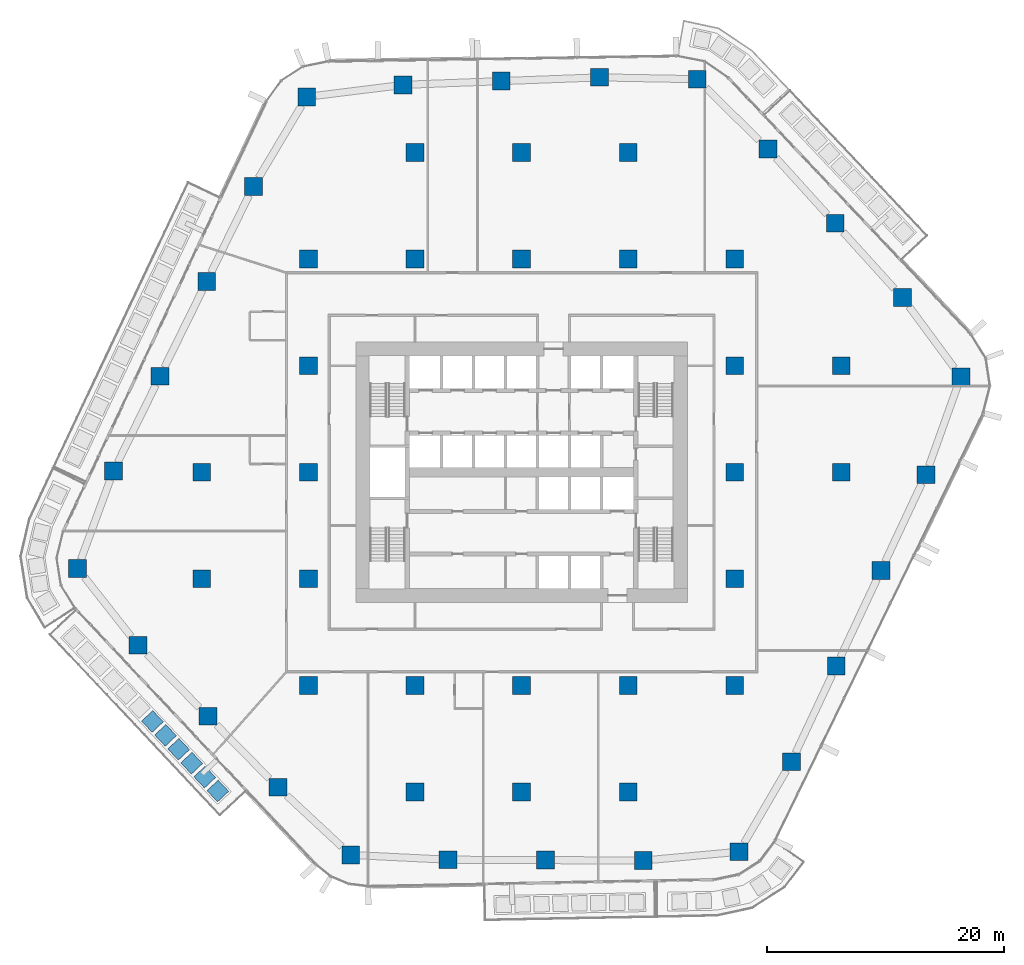
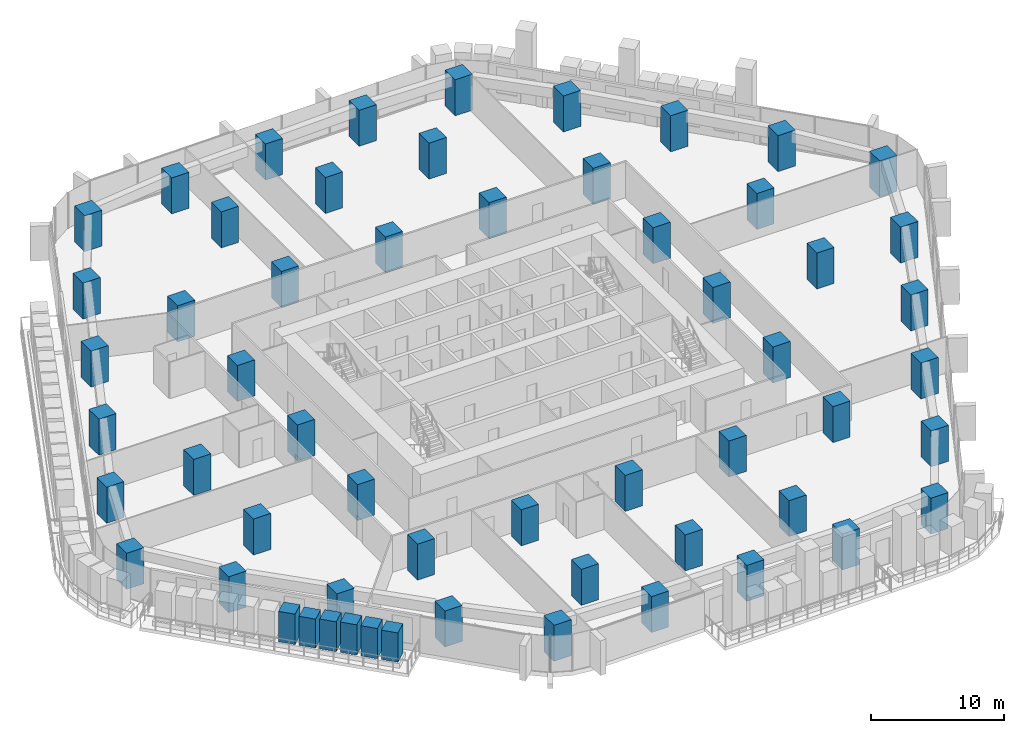
# One storey, part 1 of 25: 52 columns, 6 members.
"""IFC4 building model written with IfcOpenShell, lengths in metres."""

import ifcopenshell
import ifcopenshell.guid

model = None  # the IFC model being written
_history = None  # IfcOwnerHistory: only IFC2X3 demands one
_inside = {}  # id of a spatial element -> (the spatial element, [elements in it])
_under = {}  # id of a project, library or spatial element -> (it, [spatial elements below it])
_declared = {}  # id of a project -> (the project, [libraries it declares])
_typed = {}  # id of a type object -> (the type object, [elements of that type])
_made_of = {}  # id of a material, layer set ... -> (it, [elements and type objects made of it])


def new_model(schema):
    """Start an empty IFC model of exactly this schema.

    Asked for "IFC4X3", IfcOpenShell would pick the latest addendum, in which some entities
    have other attributes; the version numbers below select the first issue.
    IFC2X3 requires an IfcOwnerHistory on every rooted entity: one is made here for all.
    """
    global model, _history
    if schema == "IFC4X3":
        model = ifcopenshell.file(schema_version=(4, 3, 0, 0))
    else:
        model = ifcopenshell.file(schema=schema)
    _inside.clear()
    _under.clear()
    _declared.clear()
    _typed.clear()
    _made_of.clear()
    _history = None
    if model.schema == "IFC2X3":
        org = make("IfcOrganization", Name="unknown")
        user = make(
            "IfcPersonAndOrganization",
            ThePerson=make("IfcPerson", FamilyName="unknown"),
            TheOrganization=org,
        )
        app = make(
            "IfcApplication",
            ApplicationDeveloper=org,
            Version="unknown",
            ApplicationFullName="unknown",
            ApplicationIdentifier="unknown",
        )
        _history = make(
            "IfcOwnerHistory",
            OwningUser=user,
            OwningApplication=app,
            ChangeAction="ADDED",
            CreationDate=0,
        )
    return model


def make(cls, **values):
    """One entity of the class cls with the attributes given. An attribute that is None is left unset."""
    return model.create_entity(
        cls, **{name: value for name, value in values.items() if value is not None}
    )


def rooted(cls, **values):
    """An entity with a GlobalId (a new one), such as an element, a storey or a relation."""
    return make(cls, GlobalId=ifcopenshell.guid.new(), OwnerHistory=_history, **values)


def si_unit(unit_type, name, prefix=None):
    """IfcSIUnit, for example si_unit("LENGTHUNIT", "METRE", prefix="MILLI")."""
    return make("IfcSIUnit", UnitType=unit_type, Prefix=prefix, Name=name)


def assignment(units):
    """IfcUnitAssignment: the units of a project."""
    return None if units is None else make("IfcUnitAssignment", Units=units)


def point(xyz):
    """IfcCartesianPoint."""
    return None if xyz is None else make("IfcCartesianPoint", Coordinates=xyz)


def direction(xyz):
    """IfcDirection."""
    return None if xyz is None else make("IfcDirection", DirectionRatios=xyz)


def frame(location, z_axis=None, x_axis=None):
    """IfcAxis2Placement3D, a coordinate frame: its origin and axes. An axis left out is left unset."""
    return make(
        "IfcAxis2Placement3D",
        Location=point(location),
        Axis=direction(z_axis),
        RefDirection=direction(x_axis),
    )


def frame_2d(location, x_axis=None):
    """IfcAxis2Placement2D, a coordinate frame in the plane: its origin and x axis."""
    return make(
        "IfcAxis2Placement2D", Location=point(location), RefDirection=direction(x_axis)
    )


def origin():
    """The frame at (0, 0, 0) with its axes left unset."""
    return frame((0.0, 0.0, 0.0))


def origin_2d():
    """The frame at (0, 0) in the plane with its x axis left unset."""
    return frame_2d((0.0, 0.0))


def place(relative_to, where):
    """IfcLocalPlacement: puts the frame where relative to a parent placement (None: the world)."""
    return make(
        "IfcLocalPlacement", PlacementRelTo=relative_to, RelativePlacement=where
    )


def context(
    kind, dimensions, precision=None, world=None, true_north=None, identifier=None
):
    """IfcGeometricRepresentationContext, for example the 3D "Model" context."""
    return make(
        "IfcGeometricRepresentationContext",
        ContextIdentifier=identifier,
        ContextType=kind,
        CoordinateSpaceDimension=dimensions,
        Precision=precision,
        WorldCoordinateSystem=world,
        TrueNorth=true_north,
    )


def subcontext(parent, identifier, kind, view, scale=None):
    """IfcGeometricRepresentationSubContext, for example "Body" below "Model"."""
    return make(
        "IfcGeometricRepresentationSubContext",
        ContextIdentifier=identifier,
        ContextType=kind,
        ParentContext=parent,
        TargetScale=scale,
        TargetView=view,
    )


def project(units=None, contexts=None):
    """IfcProject with its units and contexts."""
    return rooted(
        "IfcProject",
        Name="project",
        RepresentationContexts=contexts,
        UnitsInContext=assignment(units),
    )


def spatial(cls, under=None, at=None, **own):
    """A site, building, storey or space (cls), placed at a placement, below another one or the project."""
    s = rooted(cls, ObjectPlacement=at, **own)
    if under is not None:
        _under.setdefault(under.id(), (under, []))[1].append(s)
    return s


def profile(cls, at=None, kind="AREA", **sizes):
    """A parametric profile (cls). Its sizes go by their IFC names, for example OverallWidth=200.0."""
    return make(cls, ProfileType=kind, Position=at, **sizes)


def rectangle(**sizes):
    """IfcRectangleProfileDef."""
    return profile("IfcRectangleProfileDef", **sizes)


def extrude(swept, where, along, depth):
    """IfcExtrudedAreaSolid: the profile swept, set in the frame where, extruded along a direction by depth."""
    return make(
        "IfcExtrudedAreaSolid",
        SweptArea=swept,
        Position=where,
        ExtrudedDirection=direction(along),
        Depth=depth,
    )


def shape(context_of_items, identifier, shape_type, items):
    """IfcShapeRepresentation: the items that make up one representation, for example the "Body"."""
    return make(
        "IfcShapeRepresentation",
        ContextOfItems=context_of_items,
        RepresentationIdentifier=identifier,
        RepresentationType=shape_type,
        Items=items,
    )


def material(Name=None, Category=None):
    """IfcMaterial."""
    return make("IfcMaterial", Name=Name, Category=Category)


def material_profile(
    of_material, cross_section, Name=None, Category=None, Priority=None
):
    """IfcMaterialProfile: a cross section and its material."""
    return make(
        "IfcMaterialProfile",
        Name=Name,
        Material=of_material,
        Profile=cross_section,
        Priority=Priority,
        Category=Category,
    )


def profile_set(profiles, Name=None, composite=None):
    """IfcMaterialProfileSet."""
    return make(
        "IfcMaterialProfileSet",
        Name=Name,
        MaterialProfiles=profiles,
        CompositeProfile=composite,
    )


def made_of(thing, what):
    """Note that an element or type object is made of a material, layer set ...; save() writes the relation."""
    if what is not None:
        _made_of.setdefault(what.id(), (what, []))[1].append(thing)
    return thing


def type_object(cls, material=None, **own):
    """A type object (cls), such as IfcWallType, which elements share."""
    return made_of(rooted(cls, **own), material)


def element(
    cls,
    number,
    at=None,
    inside=None,
    cuts=None,
    type_object=None,
    material=None,
    context=None,
    identifier="Body",
    shape_type=None,
    held_by="IfcProductDefinitionShape",
    body=None,
    shapes=None,
    **own,
):
    """One element of the class cls, such as IfcWall. Its Tag is "e" and its number.

    at: its placement. inside: the storey or other place that contains it. cuts: it is an
    opening in that element (IfcRelVoidsElement). A single representation is given by context,
    identifier, shape_type and body (its items); several are given by shapes. held_by: the class
    of the entity that holds the representations. save() writes the other relations.
    """
    e = rooted(cls, Tag="e%d" % number, ObjectPlacement=at, **own)
    if body is not None:
        shapes = [shape(context, identifier, shape_type, body)]
    if shapes is not None:
        e.Representation = make(held_by, Representations=shapes)
    if inside is not None:
        _inside.setdefault(inside.id(), (inside, []))[1].append(e)
    if cuts is not None:
        rooted(
            "IfcRelVoidsElement", RelatingBuildingElement=cuts, RelatedOpeningElement=e
        )
    if type_object is not None:
        _typed.setdefault(type_object.id(), (type_object, []))[1].append(e)
    return made_of(e, material)


def aggregate(whole, parts):
    """IfcRelAggregates: a whole, such as a stair, and the parts it consists of."""
    return rooted("IfcRelAggregates", RelatingObject=whole, RelatedObjects=parts)


def save(model, path):
    """Write the relations noted so far, then the file.

    IfcRelAggregates (storeys below a building ...), IfcRelContainedInSpatialStructure (elements
    in a storey), IfcRelDefinesByType, IfcRelAssociatesMaterial and IfcRelDeclares: one each for
    every whole, place, type object, material and project.
    """
    for whole, parts in _under.values():
        aggregate(whole, parts)
    for where, things in _inside.values():
        rooted(
            "IfcRelContainedInSpatialStructure",
            RelatedElements=things,
            RelatingStructure=where,
        )
    for kind, things in _typed.values():
        rooted("IfcRelDefinesByType", RelatedObjects=things, RelatingType=kind)
    for what, things in _made_of.values():
        rooted("IfcRelAssociatesMaterial", RelatedObjects=things, RelatingMaterial=what)
    for by, libraries in _declared.values():
        rooted("IfcRelDeclares", RelatingContext=by, RelatedDefinitions=libraries)
    model.write(path)


model = new_model("IFC4")

# Units and contexts
model_context = context("Model", 3, precision=1e-05, world=origin(), true_north=direction((0.0, 1.0)))
body_context = subcontext(model_context, "Body", "Model", "MODEL_VIEW")
ifc_project = project(units=[si_unit("LENGTHUNIT", "METRE"), si_unit("AREAUNIT", "SQUARE_METRE"), si_unit("VOLUMEUNIT", "CUBIC_METRE"), si_unit("PLANEANGLEUNIT", "RADIAN"), si_unit("MASSUNIT", "GRAM", prefix="KILO")], contexts=[model_context])

# Site, building, storey
site_placement = place(None, origin())
site = spatial("IfcSite", under=ifc_project, at=site_placement, CompositionType="ELEMENT")
building_placement = place(site_placement, origin())
building = spatial("IfcBuilding", under=site, at=building_placement, Name="Dongbaek Canopy Tower", CompositionType="ELEMENT")
storey_placement = place(building_placement, frame((0.0, 0.0, 81.0)))
storey = spatial("IfcBuildingStorey", under=building, at=storey_placement, Name="L16", CompositionType="ELEMENT", Elevation=81.0)

# Columns
ifc_material_1 = material(Name="Concrete C80", Category="concrete")
ifc_material_profile_1 = material_profile(ifc_material_1, rectangle(XDim=1.5, YDim=1.5, at=origin_2d()), Name="RC COLUMN 1500x1500 C80")
ifc_profile_set_1 = profile_set([ifc_material_profile_1], Name="Concrete C80")
column_type = type_object("IfcColumnType", Name="RC COLUMN 1500x1500 C80", PredefinedType="COLUMN", material=ifc_profile_set_1)
for number, where, z_axis, x_axis, name in (
    (1, (18.367919921875, -32.04296875, 0.0), (0.0, 0.0, 1.0), (1.0, 0.0, 0.0), "COL:CZ1-01:L16"),
    (2, (10.277099609375, -32.7900390625, 0.0), (0.0, 0.0, 1.0), (1.0, 0.0, 0.0), "COL:CZ1-02:L16"),
    (3, (2.027099609375, -32.7529296875, 0.0), (0.0, 0.0, 1.0), (1.0, 0.0, 0.0), "COL:CZ1-03:L16"),
    (4, (-6.221923828125, -32.717041015625, 0.0), (0.0, 0.0, 1.0), (1.0, 0.0, 0.0), "COL:CZ1-04:L16"),
    (5, (-14.43408203125, -32.31298828125, 0.0), (0.0, 0.0, 1.0), (1.0, 0.0, 0.0), "COL:CZ1-05:L16"),
    (6, (-20.573974609375, -26.60205078125, 0.0), (0.0, 0.0, 1.0), (1.0, 0.0, 0.0), "COL:CZ1-06:L16"),
    (7, (-26.47802734375, -20.60791015625, 0.0), (0.0, 0.0, 1.0), (1.0, 0.0, 0.0), "COL:CZ1-07:L16"),
    (8, (-32.382080078125, -14.613037109375, 0.0), (0.0, 0.0, 1.0), (1.0, 0.0, 0.0), "COL:CZ1-08:L16"),
    (9, (-37.489013671875, -8.123046875, 0.0), (0.0, 0.0, 1.0), (1.0, 0.0, 0.0), "COL:CZ1-09:L16"),
    (10, (-34.462890625, 0.10302734375, 0.0), (0.0, 0.0, 1.0), (1.0, 0.0, 0.0), "COL:CZ1-10:L16"),
    (11, (-30.52490234375, 8.111083984375, 0.0), (0.0, 0.0, 1.0), (1.0, 0.0, 0.0), "COL:CZ1-11:L16"),
    (12, (-26.5859375, 16.117919921875, 0.0), (0.0, 0.0, 1.0), (1.0, 0.0, 0.0), "COL:CZ1-12:L16"),
    (13, (-22.64794921875, 24.125, 0.0), (0.0, 0.0, 1.0), (1.0, 0.0, 0.0), "COL:CZ1-13:L16"),
    (14, (-18.138916015625, 31.698974609375, 0.0), (0.0, 0.0, 1.0), (1.0, 0.0, 0.0), "COL:CZ1-14:L16"),
    (15, (-10.006103515625, 32.714111328125, 0.0), (0.0, 0.0, 1.0), (1.0, 0.0, 0.0), "COL:CZ1-15:L16"),
    (16, (-1.7080078125, 33.031982421875, 0.0), (0.0, 0.0, 1.0), (1.0, 0.0, 0.0), "COL:CZ1-16:L16"),
    (17, (6.589111328125, 33.34912109375, 0.0), (0.0, 0.0, 1.0), (1.0, 0.0, 0.0), "COL:CZ1-17:L16"),
    (18, (14.830078125, 33.194091796875, 0.0), (0.0, 0.0, 1.0), (1.0, 0.0, 0.0), "COL:CZ1-18:L16"),
    (19, (20.804931640625, 27.297119140625, 0.0), (0.0, 0.0, 1.0), (1.0, 0.0, 0.0), "COL:CZ1-19:L16"),
    (20, (26.48193359375, 21.029052734375, 0.0), (0.0, 0.0, 1.0), (1.0, 0.0, 0.0), "COL:CZ1-20:L16"),
    (21, (32.157958984375, 14.760986328125, 0.0), (0.0, 0.0, 1.0), (1.0, 0.0, 0.0), "COL:CZ1-21:L16"),
    (22, (37.097900390625, 8.06591796875, 0.0), (0.0, 0.0, 1.0), (1.0, 0.0, 0.0), "COL:CZ1-22:L16"),
    (23, (34.14306640625, -0.205078125, 0.0), (0.0, 0.0, 1.0), (1.0, 0.0, 0.0), "COL:CZ1-23:L16"),
    (24, (30.360107421875, -8.283935546875, 0.0), (0.0, 0.0, 1.0), (1.0, 0.0, 0.0), "COL:CZ1-24:L16"),
    (25, (26.575927734375, -16.364013671875, 0.0), (0.0, 0.0, 1.0), (1.0, 0.0, 0.0), "COL:CZ1-25:L16"),
    (26, (22.7919921875, -24.443115234375, 0.0), (0.0, 0.0, 1.0), (1.0, 0.0, 0.0), "COL:CZ1-26:L16"),
    (27, (-27.0, -9.0, 0.0), (0.0, 0.0, 1.0), (1.0, 0.0, 0.0), "COL:CIZ1-01:L16"),
    (28, (-27.0, 0.0, 0.0), (0.0, 0.0, 1.0), (1.0, 0.0, 0.0), "COL:CIZ1-02:L16"),
    (29, (-18.0, -18.0, 0.0), (0.0, 0.0, 1.0), (1.0, 0.0, 0.0), "COL:CIZ1-03:L16"),
    (30, (-18.0, -9.0, 0.0), (0.0, 0.0, 1.0), (1.0, 0.0, 0.0), "COL:CIZ1-04:L16"),
    (31, (-18.0, 0.0, 0.0), (0.0, 0.0, 1.0), (1.0, 0.0, 0.0), "COL:CIZ1-05:L16"),
    (32, (-18.0, 9.0, 0.0), (0.0, 0.0, 1.0), (1.0, 0.0, 0.0), "COL:CIZ1-06:L16"),
    (33, (-18.0, 18.0, 0.0), (0.0, 0.0, 1.0), (1.0, 0.0, 0.0), "COL:CIZ1-07:L16"),
    (34, (-9.0, -27.0, 0.0), (0.0, 0.0, 1.0), (1.0, 0.0, 0.0), "COL:CIZ1-08:L16"),
    (35, (-9.0, -18.0, 0.0), (0.0, 0.0, 1.0), (1.0, 0.0, 0.0), "COL:CIZ1-09:L16"),
    (36, (-9.0, 18.0, 0.0), (0.0, 0.0, 1.0), (1.0, 0.0, 0.0), "COL:CIZ1-10:L16"),
    (37, (-9.0, 27.0, 0.0), (0.0, 0.0, 1.0), (1.0, 0.0, 0.0), "COL:CIZ1-11:L16"),
    (38, (0.0, -27.0, 0.0), (0.0, 0.0, 1.0), (1.0, 0.0, 0.0), "COL:CIZ1-12:L16"),
    (39, (0.0, -18.0, 0.0), (0.0, 0.0, 1.0), (1.0, 0.0, 0.0), "COL:CIZ1-13:L16"),
    (40, (0.0, 18.0, 0.0), (0.0, 0.0, 1.0), (1.0, 0.0, 0.0), "COL:CIZ1-14:L16"),
    (41, (0.0, 27.0, 0.0), (0.0, 0.0, 1.0), (1.0, 0.0, 0.0), "COL:CIZ1-15:L16"),
    (42, (9.0, -27.0, 0.0), (0.0, 0.0, 1.0), (1.0, 0.0, 0.0), "COL:CIZ1-16:L16"),
    (43, (9.0, -18.0, 0.0), (0.0, 0.0, 1.0), (1.0, 0.0, 0.0), "COL:CIZ1-17:L16"),
    (44, (9.0, 18.0, 0.0), (0.0, 0.0, 1.0), (1.0, 0.0, 0.0), "COL:CIZ1-18:L16"),
    (45, (9.0, 27.0, 0.0), (0.0, 0.0, 1.0), (1.0, 0.0, 0.0), "COL:CIZ1-19:L16"),
    (46, (18.0, -18.0, 0.0), (0.0, 0.0, 1.0), (1.0, 0.0, 0.0), "COL:CIZ1-20:L16"),
    (47, (18.0, -9.0, 0.0), (0.0, 0.0, 1.0), (1.0, 0.0, 0.0), "COL:CIZ1-21:L16"),
    (48, (18.0, 0.0, 0.0), (0.0, 0.0, 1.0), (1.0, 0.0, 0.0), "COL:CIZ1-22:L16"),
    (49, (18.0, 9.0, 0.0), (0.0, 0.0, 1.0), (1.0, 0.0, 0.0), "COL:CIZ1-23:L16"),
    (50, (18.0, 18.0, 0.0), (0.0, 0.0, 1.0), (1.0, 0.0, 0.0), "COL:CIZ1-24:L16"),
    (51, (27.0, 0.0, 0.0), (0.0, 0.0, 1.0), (1.0, 0.0, 0.0), "COL:CIZ1-25:L16"),
    (52, (27.0, 9.0, 0.0), (0.0, 0.0, 1.0), (1.0, 0.0, 0.0), "COL:CIZ1-26:L16"),
):
    element("IfcColumn", number, at=place(storey_placement, frame(where, z_axis=z_axis, x_axis=x_axis)), inside=storey, type_object=column_type, Name=name, PredefinedType="COLUMN", context=body_context, shape_type="SweptSolid", body=[
        extrude(rectangle(XDim=1.5, YDim=1.5, at=origin_2d()), origin(), (0.0, 0.0, 1.0), 3.300048828125),
    ])

# Members
ifc_material_2 = material(Name="Concrete C40/50 planter mass with planting", Category="concrete")
ifc_material_profile_2 = material_profile(ifc_material_2, rectangle(XDim=1.300048828125, YDim=1.300048828125, at=origin_2d()), Name="Terrace PLANTER shrub mass 1300 x 1300")
ifc_profile_set_2 = profile_set([ifc_material_profile_2], Name="Concrete C40/50 planter mass with planting")
member_type = type_object("IfcMemberType", Name="Terrace PLANTER shrub mass 1300 x 1300", PredefinedType="USERDEFINED", material=ifc_profile_set_2)
member_1_placement = place(storey_placement, frame((-31.1708984375, -21.043212890625, 0.419921875), z_axis=(0.0, 0.0, 1.0), x_axis=(-0.728584719372, -0.684955696886, 0.0)))
element("IfcMember", 53, at=member_1_placement, inside=storey, type_object=member_type, Name="Planter shrubs L16 3.7", ObjectType="PLANTER", PredefinedType="USERDEFINED", context=body_context, shape_type="SweptSolid", body=[
    extrude(rectangle(XDim=1.300048828125, YDim=1.300048828125, at=origin_2d()), origin(), (0.0, 0.0, 1.0), 2.780029296875),
])
member_2_placement = place(storey_placement, frame((-30.06640625, -22.218017578125, 0.419921875), z_axis=(0.0, 0.0, 1.0), x_axis=(-0.728584719372, -0.684955696886, 0.0)))
element("IfcMember", 54, at=member_2_placement, inside=storey, type_object=member_type, Name="Planter shrubs L16 3.8", ObjectType="PLANTER", PredefinedType="USERDEFINED", context=body_context, shape_type="SweptSolid", body=[
    extrude(rectangle(XDim=1.300048828125, YDim=1.300048828125, at=origin_2d()), origin(), (0.0, 0.0, 1.0), 2.650146484375),
])
member_3_placement = place(storey_placement, frame((-28.9619140625, -23.392822265625, 0.419921875), z_axis=(0.0, 0.0, 1.0), x_axis=(-0.728584719372, -0.684955696886, 0.0)))
element("IfcMember", 55, at=member_3_placement, inside=storey, type_object=member_type, Name="Planter shrubs L16 3.9", ObjectType="PLANTER", PredefinedType="USERDEFINED", context=body_context, shape_type="SweptSolid", body=[
    extrude(rectangle(XDim=1.300048828125, YDim=1.300048828125, at=origin_2d()), origin(), (0.0, 0.0, 1.0), 2.72998046875),
])
member_4_placement = place(storey_placement, frame((-27.857421875, -24.567626953125, 0.419921875), z_axis=(0.0, 0.0, 1.0), x_axis=(-0.728584719372, -0.684955696886, 0.0)))
element("IfcMember", 56, at=member_4_placement, inside=storey, type_object=member_type, Name="Planter shrubs L16 3.10", ObjectType="PLANTER", PredefinedType="USERDEFINED", context=body_context, shape_type="SweptSolid", body=[
    extrude(rectangle(XDim=1.300048828125, YDim=1.300048828125, at=origin_2d()), origin(), (0.0, 0.0, 1.0), 2.780029296875),
])
member_5_placement = place(storey_placement, frame((-26.7529296875, -25.742431640625, 0.419921875), z_axis=(0.0, 0.0, 1.0), x_axis=(-0.728584719372, -0.684955696886, 0.0)))
element("IfcMember", 57, at=member_5_placement, inside=storey, type_object=member_type, Name="Planter shrubs L16 3.11", ObjectType="PLANTER", PredefinedType="USERDEFINED", context=body_context, shape_type="SweptSolid", body=[
    extrude(rectangle(XDim=1.300048828125, YDim=1.300048828125, at=origin_2d()), origin(), (0.0, 0.0, 1.0), 2.77001953125),
])
member_6_placement = place(storey_placement, frame((-25.6484375, -26.917236328125, 0.419921875), z_axis=(0.0, 0.0, 1.0), x_axis=(-0.728584719372, -0.684955696886, 0.0)))
element("IfcMember", 58, at=member_6_placement, inside=storey, type_object=member_type, Name="Planter shrubs L16 3.12", ObjectType="PLANTER", PredefinedType="USERDEFINED", context=body_context, shape_type="SweptSolid", body=[
    extrude(rectangle(XDim=1.300048828125, YDim=1.300048828125, at=origin_2d()), origin(), (0.0, 0.0, 1.0), 2.690185546875),
])

save(model, "model.ifc")
